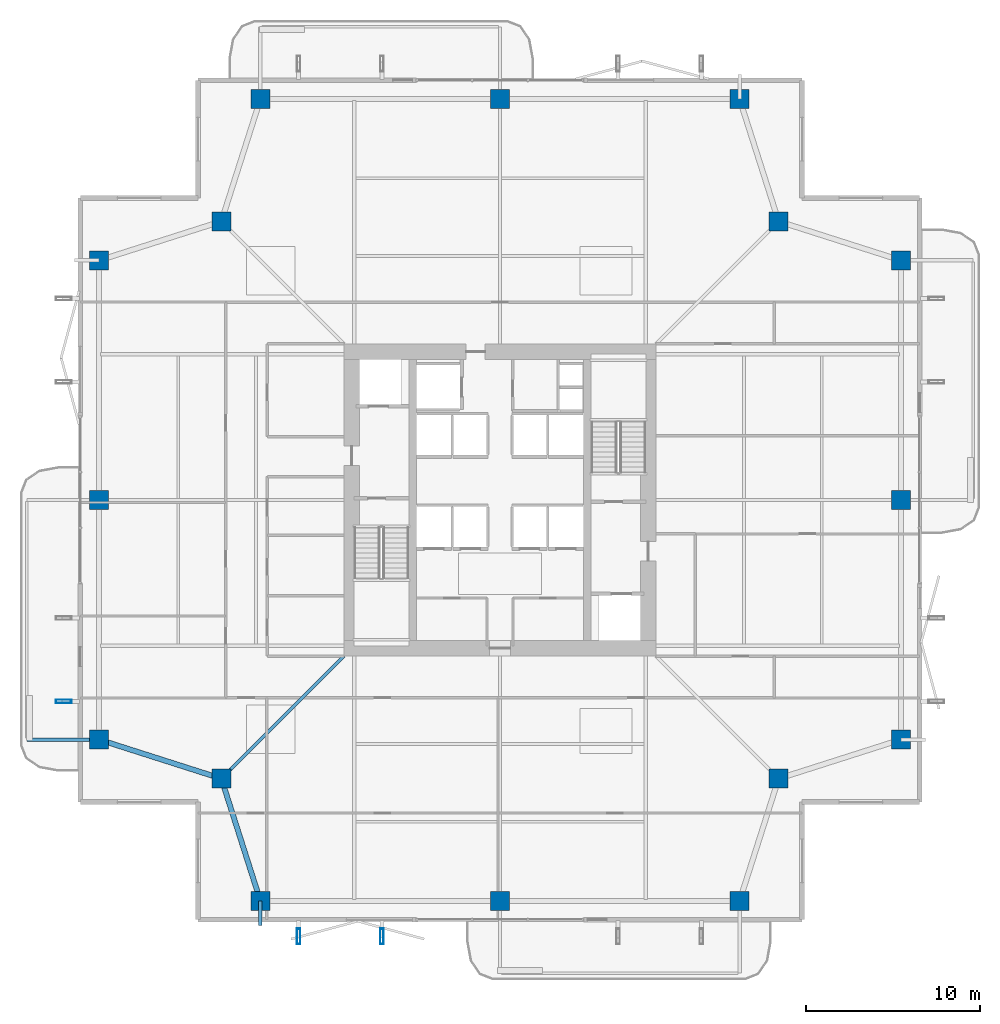
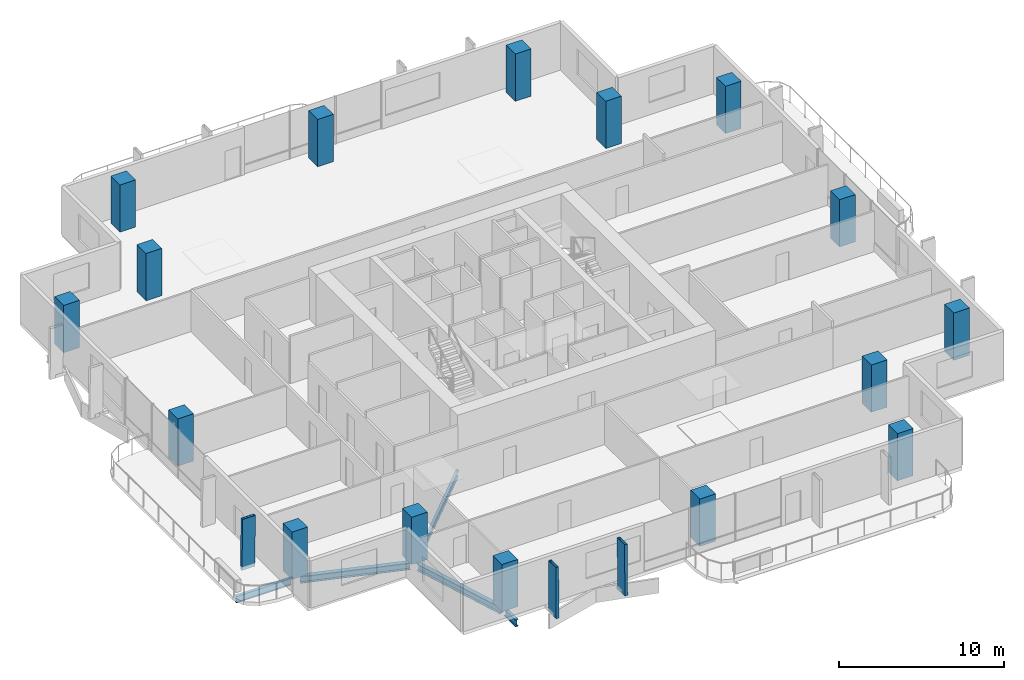
# One storey, part 1 of 24: 16 columns, 5 beams, 3 members.
"""IFC4 building model written with IfcOpenShell, lengths in metres."""

from ifc_helpers import new_model, si_unit, direction, frame, origin, origin_2d, place, context, subcontext, project, spatial, rectangle, hollow_rectangle, i_section, extrude, material, material_profile, profile_set, type_object, element, save


model = new_model("IFC4")

# Units and contexts
model_context = context("Model", 3, precision=1e-05, world=origin(), true_north=direction((0.0, 1.0)))
body_context = subcontext(model_context, "Body", "Model", "MODEL_VIEW")
ifc_project = project(units=[si_unit("LENGTHUNIT", "METRE"), si_unit("AREAUNIT", "SQUARE_METRE"), si_unit("VOLUMEUNIT", "CUBIC_METRE"), si_unit("PLANEANGLEUNIT", "RADIAN"), si_unit("MASSUNIT", "GRAM", prefix="KILO")], contexts=[model_context])

# Site, building, storey
site_placement = place(None, origin())
site = spatial("IfcSite", under=ifc_project, at=site_placement, CompositionType="ELEMENT")
building_placement = place(site_placement, origin())
building = spatial("IfcBuilding", under=site, at=building_placement, Name="Belovzor Exchange Tower", CompositionType="ELEMENT")
storey_placement = place(building_placement, frame((0.0, 0.0, 179.550048828125)))
storey = spatial("IfcBuildingStorey", under=building, at=storey_placement, Name="L44", CompositionType="ELEMENT", Elevation=179.550048828125)

# Columns
ifc_material_1 = material(Name="Concrete C50/60", Category="concrete")
ifc_material_profile_1 = material_profile(ifc_material_1, rectangle(XDim=1.10009765625, YDim=1.10009765625, at=origin_2d()))
ifc_profile_set_1 = profile_set([ifc_material_profile_1], Name="Concrete C50/60")
column_type = type_object("IfcColumnType", Name="Reinforced Concrete Tower Column 1100x1100", PredefinedType="COLUMN", material=ifc_profile_set_1)
for number, where, z_axis, x_axis, name in (
    (1, (15.0, 5.699951171875, 0.0029296875), (0.0, 0.0, 1.0), (1.0, 0.0, 0.0), "COL-T110 Reinforced Concrete Tower Column 1100x1100"),
    (2, (28.800048828125, 5.699951171875, 0.0029296875), (0.0, 0.0, 1.0), (1.0, 0.0, 0.0), "COL-T110 Reinforced Concrete Tower Column 1100x1100"),
    (3, (42.60009765625, 5.699951171875, 0.0029296875), (0.0, 0.0, 1.0), (1.0, 0.0, 0.0), "COL-T110 Reinforced Concrete Tower Column 1100x1100"),
    (4, (51.89990234375, 15.0, 0.0029296875), (0.0, 0.0, 1.0), (1.0, 0.0, 0.0), "COL-T110 Reinforced Concrete Tower Column 1100x1100"),
    (5, (51.89990234375, 28.800048828125, 0.0029296875), (0.0, 0.0, 1.0), (1.0, 0.0, 0.0), "COL-T110 Reinforced Concrete Tower Column 1100x1100"),
    (6, (51.89990234375, 42.60009765625, 0.0029296875), (0.0, 0.0, 1.0), (1.0, 0.0, 0.0), "COL-T110 Reinforced Concrete Tower Column 1100x1100"),
    (7, (42.60009765625, 51.89990234375, 0.0029296875), (0.0, 0.0, 1.0), (1.0, 0.0, 0.0), "COL-T110 Reinforced Concrete Tower Column 1100x1100"),
    (8, (28.800048828125, 51.89990234375, 0.0029296875), (0.0, 0.0, 1.0), (1.0, 0.0, 0.0), "COL-T110 Reinforced Concrete Tower Column 1100x1100"),
    (9, (15.0, 51.89990234375, 0.0029296875), (0.0, 0.0, 1.0), (1.0, 0.0, 0.0), "COL-T110 Reinforced Concrete Tower Column 1100x1100"),
    (10, (5.699951171875, 42.60009765625, 0.0029296875), (0.0, 0.0, 1.0), (1.0, 0.0, 0.0), "COL-T110 Reinforced Concrete Tower Column 1100x1100"),
    (11, (5.699951171875, 28.800048828125, 0.0029296875), (0.0, 0.0, 1.0), (1.0, 0.0, 0.0), "COL-T110 Reinforced Concrete Tower Column 1100x1100"),
    (12, (5.699951171875, 15.0, 0.0029296875), (0.0, 0.0, 1.0), (1.0, 0.0, 0.0), "COL-T110 Reinforced Concrete Tower Column 1100x1100"),
    (13, (12.75, 12.75, 0.0029296875), (0.0, 0.0, 1.0), (1.0, 0.0, 0.0), "COL-T110 Reinforced Concrete Tower Column 1100x1100"),
    (14, (44.85009765625, 12.75, 0.0029296875), (0.0, 0.0, 1.0), (1.0, 0.0, 0.0), "COL-T110 Reinforced Concrete Tower Column 1100x1100"),
    (15, (44.85009765625, 44.85009765625, 0.0029296875), (0.0, 0.0, 1.0), (1.0, 0.0, 0.0), "COL-T110 Reinforced Concrete Tower Column 1100x1100"),
    (16, (12.75, 44.85009765625, 0.0029296875), (0.0, 0.0, 1.0), (1.0, 0.0, 0.0), "COL-T110 Reinforced Concrete Tower Column 1100x1100"),
):
    element("IfcColumn", number, at=place(storey_placement, frame(where, z_axis=z_axis, x_axis=x_axis)), inside=storey, type_object=column_type, Name=name, PredefinedType="COLUMN", context=body_context, shape_type="SweptSolid", body=[
        extrude(rectangle(XDim=1.10009765625, YDim=1.10009765625, at=origin_2d()), origin(), (0.0, 0.0, 1.0), 3.489013671875),
    ])

# Beams
ifc_material_2 = material(Name="Steel S355", Category="steel")
ifc_material_profile_2 = material_profile(ifc_material_2, i_section(OverallWidth=0.199951171875, OverallDepth=0.5, WebThickness=0.01025390625, FlangeThickness=0.01611328125, at=origin_2d()))
ifc_profile_set_2 = profile_set([ifc_material_profile_2], Name="Steel S355")
beam_type_1 = type_object("IfcBeamType", Name="Planted Balcony Cantilever Beam IPE 500", PredefinedType="BEAM", material=ifc_profile_set_2)
beam_1_placement = place(storey_placement, frame((5.39697265625, 15.0, -0.505126953125), z_axis=(-1.0, 0.0, 0.0), x_axis=(0.0, -1.0, 0.0)))
element("IfcBeam", 17, at=beam_1_placement, inside=storey, type_object=beam_type_1, Name="BC-500 Planted Balcony Cantilever Beam IPE 500", PredefinedType="BEAM", context=body_context, shape_type="SweptSolid", body=[
    extrude(i_section(OverallWidth=0.199951171875, OverallDepth=0.5, WebThickness=0.01025390625, FlangeThickness=0.01611328125, at=origin_2d()), origin(), (0.0, 0.0, 1.0), 3.849853515625),
])
beam_2_placement = place(storey_placement, frame((15.0, 5.699951171875, -0.505126953125), z_axis=(0.0, -1.0, 0.0), x_axis=(1.0, 0.0, 0.0)))
element("IfcBeam", 18, at=beam_2_placement, inside=storey, type_object=beam_type_1, Name="BC-500 Planted Balcony Cantilever Beam IPE 500", PredefinedType="BEAM", context=body_context, shape_type="SweptSolid", body=[
    extrude(i_section(OverallWidth=0.199951171875, OverallDepth=0.5, WebThickness=0.01025390625, FlangeThickness=0.01611328125, at=origin_2d()), origin(), (0.0, 0.0, 1.0), 1.39990234375),
])

# Members
ifc_material_3 = material(Name="Extruded Architectural Terracotta on Steel S355 Carrier", Category="masonry")
ifc_material_profile_3 = material_profile(ifc_material_3, hollow_rectangle(XDim=0.199951171875, YDim=0.89990234375, WallThickness=0.011962890625, at=origin_2d()))
ifc_profile_set_3 = profile_set([ifc_material_profile_3], Name="Extruded Architectural Terracotta on Steel S355 Carrier")
member_type = type_object("IfcMemberType", Name="Sweeping Terracotta Baguette Fin Assembly 1250", PredefinedType="USERDEFINED", material=ifc_profile_set_3)
for number, where, z_axis, x_axis, name in (
    (19, (17.199951171875, 3.64697265625, -0.255126953125), (0.0, 0.011197214661, 0.999937309227), (-1.0, 0.0, 0.0), "FIN-TC125 Terracotta Facade Fin L44 S1"),
    (20, (3.64697265625, 17.199951171875, -0.255126953125), (0.011197214661, 0.0, 0.999937309227), (0.0, 1.0, 0.0), "FIN-TC125 Terracotta Facade Fin L44 W1"),
    (21, (22.0, 3.64697265625, -0.255126953125), (0.0, 0.011197214661, 0.999937309227), (-1.0, 0.0, 0.0), "FIN-TC125 Terracotta Facade Fin L44 S2"),
):
    element("IfcMember", number, at=place(storey_placement, frame(where, z_axis=z_axis, x_axis=x_axis)), inside=storey, type_object=member_type, Name=name, ObjectType="FIN", PredefinedType="USERDEFINED", context=body_context, shape_type="SweptSolid", body=[
        extrude(hollow_rectangle(XDim=0.199951171875, YDim=0.89990234375, WallThickness=0.011962890625, at=origin_2d()), origin(), (0.0, 0.0, 1.0), 3.750244140625),
    ])

# Beams
ifc_material_4 = material(Name="Steel S355", Category="steel")
ifc_material_profile_4 = material_profile(ifc_material_4, i_section(OverallWidth=0.18994140625, OverallDepth=0.449951171875, WebThickness=0.009521484375, FlangeThickness=0.0146484375, at=origin_2d()))
ifc_profile_set_4 = profile_set([ifc_material_profile_4], Name="Steel S355")
beam_type_2 = type_object("IfcBeamType", Name="Zone 2-4 Radial Composite Floor Beam IPE 450", PredefinedType="BEAM", material=ifc_profile_set_4)
beam_3_placement = place(storey_placement, frame((19.800048828125, 19.800048828125, -0.47998046875), z_axis=(-0.707106781187, -0.707106781187, 0.0), x_axis=(0.707106781187, -0.707106781187, 0.0)))
element("IfcBeam", 22, at=beam_3_placement, inside=storey, type_object=beam_type_2, Name="FB-450 Zone 2-4 Radial Composite Floor Beam IPE 450", PredefinedType="BEAM", context=body_context, shape_type="SweptSolid", body=[
    extrude(i_section(OverallWidth=0.18994140625, OverallDepth=0.449951171875, WebThickness=0.009521484375, FlangeThickness=0.0146484375, at=origin_2d()), origin(), (0.0, 0.0, 1.0), 9.58154296875),
])
ifc_material_5 = material(Name="Steel S355", Category="steel")
ifc_material_profile_5 = material_profile(ifc_material_5, i_section(OverallWidth=0.300048828125, OverallDepth=0.5, WebThickness=0.014404296875, FlangeThickness=0.028076171875, at=origin_2d()))
ifc_profile_set_5 = profile_set([ifc_material_profile_5], Name="Steel S355")
beam_type_3 = type_object("IfcBeamType", Name="Zone 3 Waist Primary Girder HEB 500", PredefinedType="BEAM", material=ifc_profile_set_5)
for number, where, z_axis, x_axis, name in (
    (23, (12.842041015625, 12.4619140625, -0.505126953125), (0.304011730457, -0.952668288411, 0.0), (0.952668288411, 0.304011730457, 0.0), "FG-Z3 Zone 3 Waist Primary Girder HEB 500"),
    (24, (5.988037109375, 14.907958984375, -0.505126953125), (0.952668288411, -0.304011730457, 0.0), (0.304011730457, 0.952668288411, 0.0), "FG-Z3 Zone 3 Waist Primary Girder HEB 500"),
):
    element("IfcBeam", number, at=place(storey_placement, frame(where, z_axis=z_axis, x_axis=x_axis)), inside=storey, type_object=beam_type_3, Name=name, PredefinedType="BEAM", context=body_context, shape_type="SweptSolid", body=[
        extrude(i_section(OverallWidth=0.300048828125, OverallDepth=0.5, WebThickness=0.014404296875, FlangeThickness=0.028076171875, at=origin_2d()), origin(), (0.0, 0.0, 1.0), 6.79541015625),
    ])

save(model, "model.ifc")
